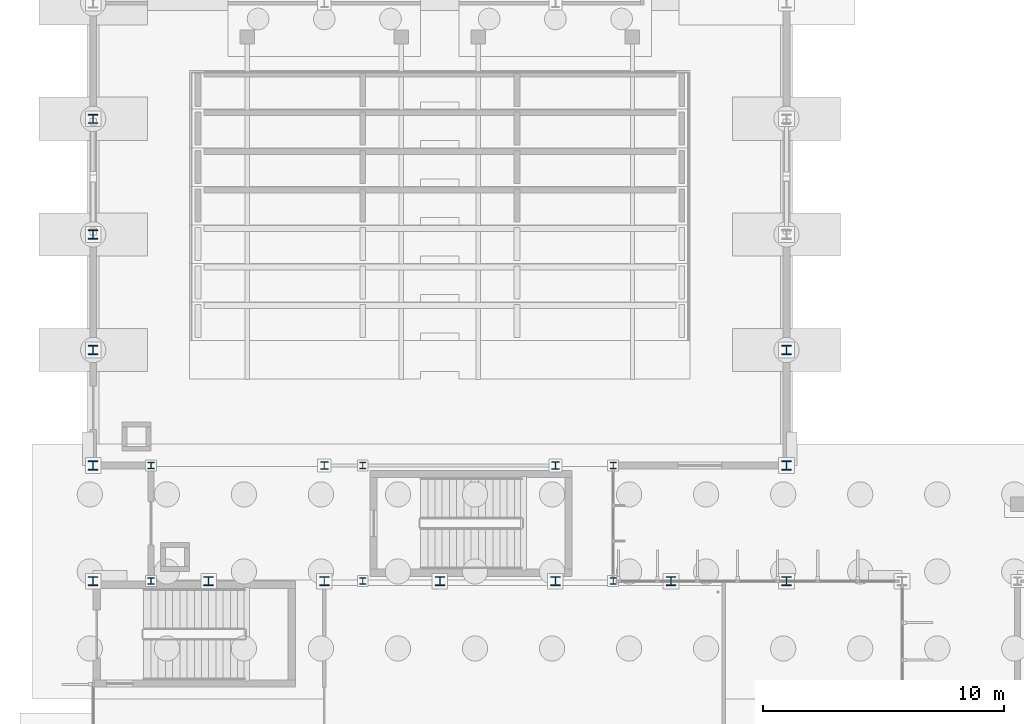
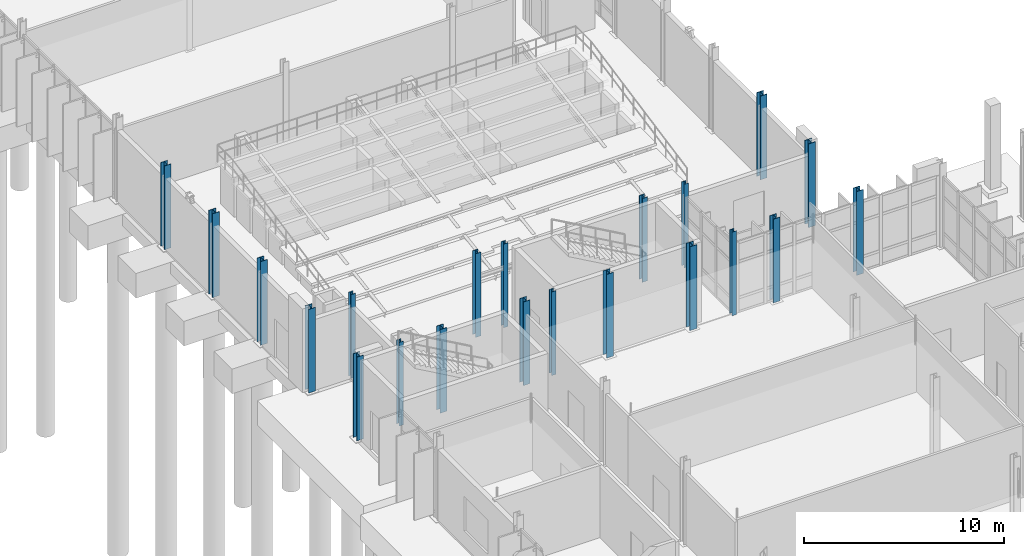
# One storey, part 8 of 111: 21 columns.
"""IFC4 building model written with IfcOpenShell, lengths in metres."""

from ifc_helpers import new_model, si_unit, direction, frame, origin, origin_2d, place, context, subcontext, project, spatial, i_section, extrude, material, material_profile, profile_set, type_object, element, save


model = new_model("IFC4")

# Units and contexts
model_context = context("Model", 3, precision=1e-05, world=origin(), true_north=direction((0.0, 1.0)))
body_context = subcontext(model_context, "Body", "Model", "MODEL_VIEW")
ifc_project = project(units=[si_unit("LENGTHUNIT", "METRE"), si_unit("AREAUNIT", "SQUARE_METRE"), si_unit("VOLUMEUNIT", "CUBIC_METRE"), si_unit("PLANEANGLEUNIT", "RADIAN"), si_unit("MASSUNIT", "GRAM", prefix="KILO")], contexts=[model_context])

# Site, building, storey
site_placement = place(None, origin())
site = spatial("IfcSite", under=ifc_project, at=site_placement, CompositionType="ELEMENT")
building_placement = place(site_placement, origin())
building = spatial("IfcBuilding", under=site, at=building_placement, Name="Dunescarp Central Library", CompositionType="ELEMENT")
storey_placement = place(building_placement, origin())
storey = spatial("IfcBuildingStorey", under=building, at=storey_placement, Name="L00", CompositionType="ELEMENT", Elevation=0.0)

# Columns
ifc_material = material(Name="Steel S355JR", Category="steel")
ifc_material_profile_1 = material_profile(ifc_material, i_section(OverallWidth=0.25634765625, OverallDepth=0.26025390625, WebThickness=0.01025390625, FlangeThickness=0.017333984375, at=origin_2d()), Name="UC 254x254x89")
ifc_profile_set_1 = profile_set([ifc_material_profile_1], Name="Steel S355JR")
column_type_1 = type_object("IfcColumnType", Name="STR-COL-UC254X89", PredefinedType="COLUMN", material=ifc_profile_set_1)
for number, where, z_axis, x_axis, name in (
    (1, (2.39990234375, 36.800048828125, 0.0), (0.0, 0.0, 1.0), (1.0, 0.0, 0.0), "L00 column GL4-24-368"),
    (2, (2.39990234375, 41.60009765625, 0.0), (0.0, 0.0, 1.0), (1.0, 0.0, 0.0), "L00 column GL4-24-416"),
    (3, (11.199951171875, 36.800048828125, 0.0), (0.0, 0.0, 1.0), (1.0, 0.0, 0.0), "L00 column GL4-112-368"),
    (4, (11.199951171875, 41.60009765625, 0.0), (0.0, 0.0, 1.0), (1.0, 0.0, 0.0), "L00 column GL4-112-416"),
    (5, (21.60009765625, 36.800048828125, 0.0), (0.0, 0.0, 1.0), (1.0, 0.0, 0.0), "L00 column GL4-216-368"),
    (6, (21.60009765625, 41.60009765625, 0.0), (0.0, 0.0, 1.0), (1.0, 0.0, 0.0), "L00 column GL4-216-416"),
):
    element("IfcColumn", number, at=place(storey_placement, frame(where, z_axis=z_axis, x_axis=x_axis)), inside=storey, type_object=column_type_1, Name=name, PredefinedType="COLUMN", context=body_context, shape_type="SweptSolid", body=[
        extrude(i_section(OverallWidth=0.25634765625, OverallDepth=0.26025390625, WebThickness=0.01025390625, FlangeThickness=0.017333984375, at=origin_2d()), origin(), (0.0, 0.0, 1.0), 5.10009765625),
    ])
ifc_material_profile_2 = material_profile(ifc_material, i_section(OverallWidth=0.311279296875, OverallDepth=0.3271484375, WebThickness=0.015869140625, FlangeThickness=0.02490234375, at=origin_2d()), Name="UC 305x305x158")
ifc_profile_set_2 = profile_set([ifc_material_profile_2], Name="Steel S355JR")
column_type_2 = type_object("IfcColumnType", Name="STR-COL-UC305X158", PredefinedType="COLUMN", material=ifc_profile_set_2)
for number, where, z_axis, x_axis, name in (
    (7, (9.60009765625, 41.60009765625, 0.0), (0.0, 0.0, 1.0), (1.0, 0.0, 0.0), "L00 column V4B-96-416"),
    (8, (19.199951171875, 41.60009765625, 0.0), (0.0, 0.0, 1.0), (1.0, 0.0, 0.0), "L00 column V4B-192-416"),
):
    element("IfcColumn", number, at=place(storey_placement, frame(where, z_axis=z_axis, x_axis=x_axis)), inside=storey, type_object=column_type_2, Name=name, PredefinedType="COLUMN", context=body_context, shape_type="SweptSolid", body=[
        extrude(i_section(OverallWidth=0.311279296875, OverallDepth=0.3271484375, WebThickness=0.015869140625, FlangeThickness=0.02490234375, at=origin_2d()), origin(), (0.0, 0.0, 1.0), 5.10009765625),
    ])
ifc_material_profile_3 = material_profile(ifc_material, i_section(OverallWidth=0.394775390625, OverallDepth=0.381103515625, WebThickness=0.018310546875, FlangeThickness=0.0302734375, at=origin_2d()), Name="UC 356x406x235")
ifc_profile_set_3 = profile_set([ifc_material_profile_3], Name="Steel S355JR")
column_type_3 = type_object("IfcColumnType", Name="STR-COL-UC356X235", PredefinedType="COLUMN", material=ifc_profile_set_3)
for number, where, z_axis, x_axis, name in (
    (9, (0.0, 36.800048828125, 0.0), (0.0, 0.0, 1.0), (1.0, 0.0, 0.0), "L00 column V1P-0-368"),
    (10, (4.800048828125, 36.800048828125, 0.0), (0.0, 0.0, 1.0), (1.0, 0.0, 0.0), "L00 column V1P-48-368"),
    (11, (9.60009765625, 36.800048828125, 0.0), (0.0, 0.0, 1.0), (1.0, 0.0, 0.0), "L00 column V1P-96-368"),
    (12, (14.39990234375, 36.800048828125, 0.0), (0.0, 0.0, 1.0), (1.0, 0.0, 0.0), "L00 column V1P-144-368"),
    (13, (19.199951171875, 36.800048828125, 0.0), (0.0, 0.0, 1.0), (1.0, 0.0, 0.0), "L00 column V1P-192-368"),
    (14, (24.0, 36.800048828125, 0.0), (0.0, 0.0, 1.0), (1.0, 0.0, 0.0), "L00 column V1P-240-368"),
    (15, (28.800048828125, 36.800048828125, 0.0), (0.0, 0.0, 1.0), (1.0, 0.0, 0.0), "L00 column V1P-288-368"),
    (16, (0.0, 41.60009765625, 0.0), (0.0, 0.0, 1.0), (1.0, 0.0, 0.0), "L00 column V4A-0-416"),
    (17, (0.0, 46.39990234375, 0.0), (0.0, 0.0, 1.0), (1.0, 0.0, 0.0), "L00 column V4A-0-464"),
    (18, (0.0, 51.199951171875, 0.0), (0.0, 0.0, 1.0), (1.0, 0.0, 0.0), "L00 column V4A-0-512"),
    (19, (0.0, 56.0, 0.0), (0.0, 0.0, 1.0), (1.0, 0.0, 0.0), "L00 column V4A-0-560"),
    (20, (28.800048828125, 41.60009765625, 0.0), (0.0, 0.0, 1.0), (1.0, 0.0, 0.0), "L00 column V4A-288-416"),
    (21, (28.800048828125, 46.39990234375, 0.0), (0.0, 0.0, 1.0), (1.0, 0.0, 0.0), "L00 column V4A-288-464"),
):
    element("IfcColumn", number, at=place(storey_placement, frame(where, z_axis=z_axis, x_axis=x_axis)), inside=storey, type_object=column_type_3, Name=name, PredefinedType="COLUMN", context=body_context, shape_type="SweptSolid", body=[
        extrude(i_section(OverallWidth=0.394775390625, OverallDepth=0.381103515625, WebThickness=0.018310546875, FlangeThickness=0.0302734375, at=origin_2d()), origin(), (0.0, 0.0, 1.0), 5.10009765625),
    ])

save(model, "model.ifc")
